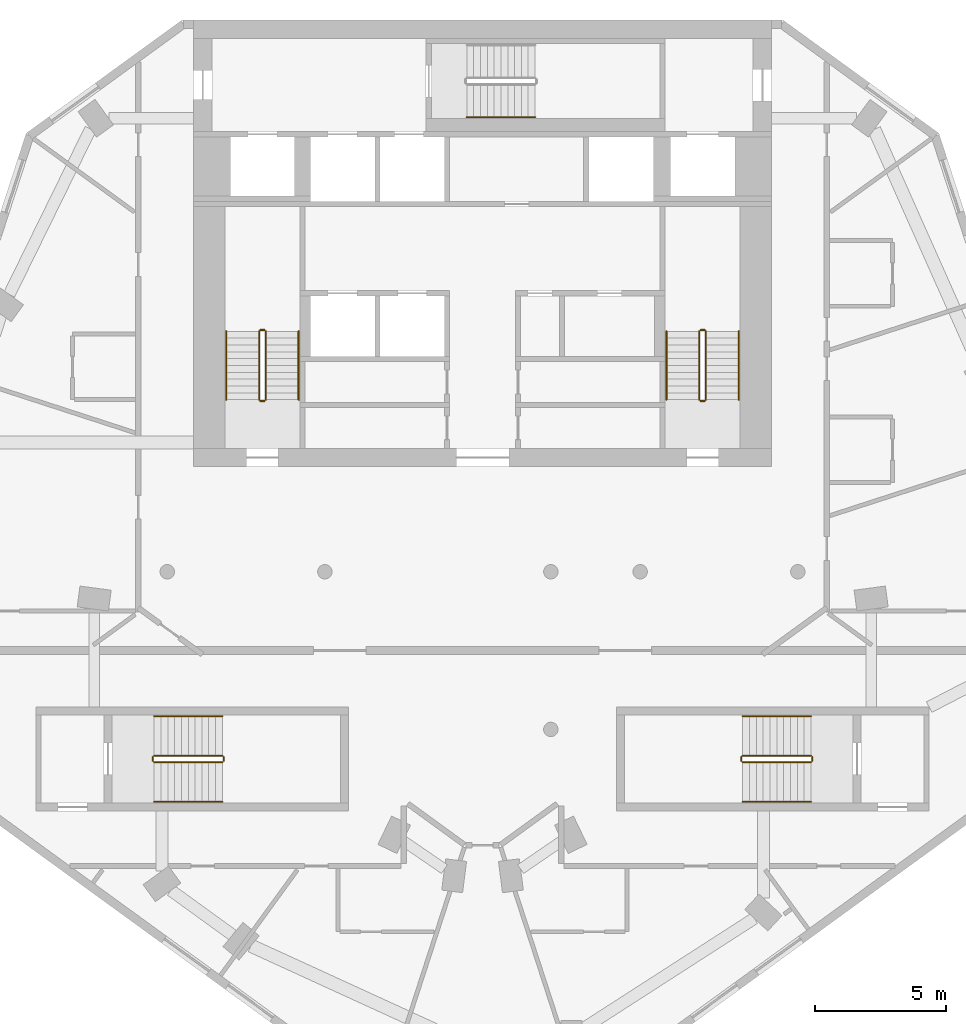
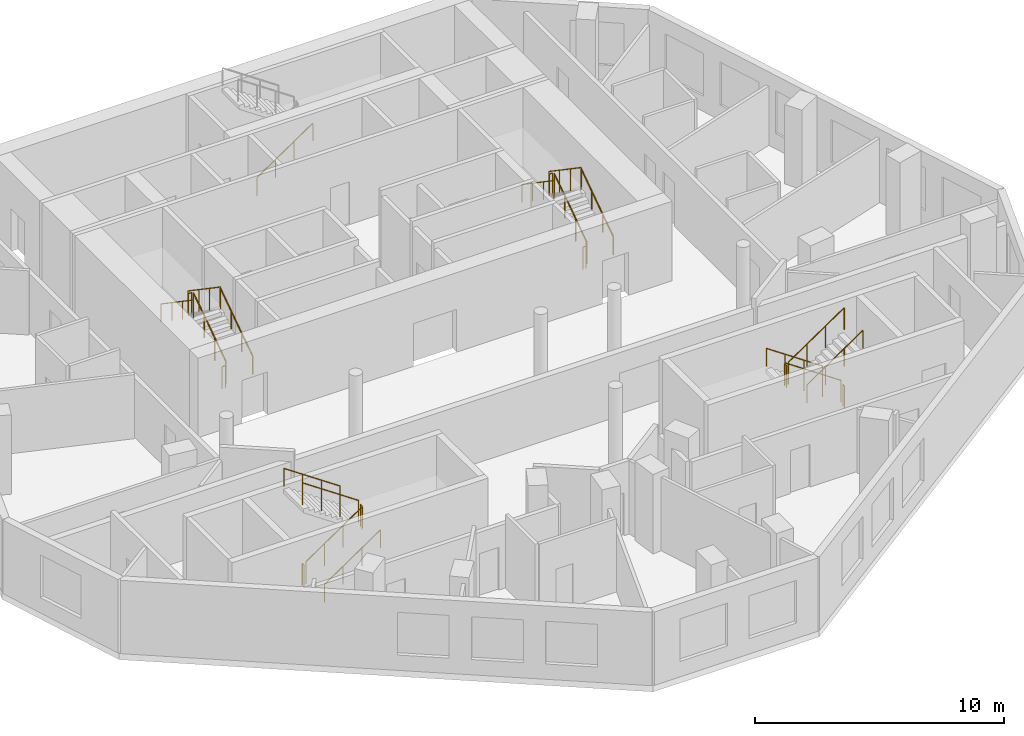
# One storey, part 7 of 8: 25 railings.
"""IFC4 building model written with IfcOpenShell, lengths in metres."""

from ifc_helpers import new_model, si_unit, direction, frame, origin, origin_2d, place, context, subcontext, project, spatial, circle, extrude, material, type_object, element, save


model = new_model("IFC4")

# Units and contexts
model_context = context("Model", 3, precision=1e-05, world=origin(), true_north=direction((0.0, 1.0)))
body_context = subcontext(model_context, "Body", "Model", "MODEL_VIEW")
ifc_project = project(units=[si_unit("LENGTHUNIT", "METRE"), si_unit("AREAUNIT", "SQUARE_METRE"), si_unit("VOLUMEUNIT", "CUBIC_METRE"), si_unit("PLANEANGLEUNIT", "RADIAN"), si_unit("MASSUNIT", "GRAM", prefix="KILO")], contexts=[model_context])

# Site, building, storey
site_placement = place(None, origin())
site = spatial("IfcSite", under=ifc_project, at=site_placement, CompositionType="ELEMENT")
building_placement = place(site_placement, origin())
building = spatial("IfcBuilding", under=site, at=building_placement, Name="White Candle Pilgrim Tower", CompositionType="ELEMENT")
storey_placement = place(building_placement, frame((0.0, 0.0, 279.5)))
storey = spatial("IfcBuildingStorey", under=building, at=storey_placement, Name="L66", CompositionType="ELEMENT", Elevation=279.5)

# Railings
ifc_material = material(Name="Stainless steel", Category="steel")
railing_type_1 = type_object("IfcRailingType", Name="Stair guard stainless steel 1100 mm", PredefinedType="GUARDRAIL", material=ifc_material)
railing_1_placement = place(storey_placement, frame((61.75, 73.550048828125, 0.17724609375)))
element("IfcRailing", 1, at=railing_1_placement, inside=storey, type_object=railing_type_1, Name="L66 ST1 stair guard 1", PredefinedType="GUARDRAIL", context=body_context, shape_type="SweptSolid", body=[
    extrude(circle(Radius=0.02392578125, at=origin_2d()), frame((0.0, 0.0, 1.076171875), z_axis=(0.0, 0.826215852431, 0.563353676824), x_axis=(-1.0, 0.0, 0.0)), (0.0, 0.0, 1.0), 3.146728515625),
    extrude(circle(Radius=0.02099609375, at=origin_2d()), origin(), (0.0, 0.0, 1.0), 1.052001953125),
    extrude(circle(Radius=0.02099609375, at=origin_2d()), frame((0.0, 0.86669921875, 0.5908203125)), (0.0, 0.0, 1.0), 1.052001953125),
    extrude(circle(Radius=0.02099609375, at=origin_2d()), frame((0.0, 1.733154296875, 1.181884765625)), (0.0, 0.0, 1.0), 1.052001953125),
    extrude(circle(Radius=0.02099609375, at=origin_2d()), frame((0.0, 2.599853515625, 1.772705078125)), (0.0, 0.0, 1.0), 1.052001953125),
])
railing_2_placement = place(storey_placement, frame((61.699951171875, 76.199951171875, 1.949951171875)))
element("IfcRailing", 2, at=railing_2_placement, inside=storey, type_object=railing_type_1, Name="L66 ST1 stair guard 2", PredefinedType="GUARDRAIL", context=body_context, shape_type="SweptSolid", body=[
    extrude(circle(Radius=0.02392578125, at=origin_2d()), frame((0.0, 0.0, 1.076171875), z_axis=(-1.0, 0.0, 0.0), x_axis=(0.0, -1.0, 0.0)), (0.0, 0.0, 1.0), 0.14990234375),
    extrude(circle(Radius=0.02099609375, at=origin_2d()), origin(), (0.0, 0.0, 1.0), 1.052001953125),
    extrude(circle(Radius=0.02099609375, at=origin_2d()), frame((-0.14990234375, 0.0, 0.0)), (0.0, 0.0, 1.0), 1.052001953125),
])
railing_3_placement = place(storey_placement, frame((61.5, 76.14990234375, 2.127197265625)))
element("IfcRailing", 3, at=railing_3_placement, inside=storey, type_object=railing_type_1, Name="L66 ST1 stair guard 3", PredefinedType="GUARDRAIL", context=body_context, shape_type="SweptSolid", body=[
    extrude(circle(Radius=0.02392578125, at=origin_2d()), frame((0.0, 0.0, 1.076171875), z_axis=(0.0, -0.826215852431, 0.563353676824), x_axis=(1.0, 0.0, 0.0)), (0.0, 0.0, 1.0), 3.146728515625),
    extrude(circle(Radius=0.02099609375, at=origin_2d()), origin(), (0.0, 0.0, 1.0), 1.052001953125),
    extrude(circle(Radius=0.02099609375, at=origin_2d()), frame((0.0, -0.86669921875, 0.5908203125)), (0.0, 0.0, 1.0), 1.052001953125),
    extrude(circle(Radius=0.02099609375, at=origin_2d()), frame((0.0, -1.733154296875, 1.181884765625)), (0.0, 0.0, 1.0), 1.052001953125),
    extrude(circle(Radius=0.02099609375, at=origin_2d()), frame((0.0, -2.599853515625, 1.772705078125)), (0.0, 0.0, 1.0), 1.052001953125),
])
railing_4_placement = place(storey_placement, frame((61.699951171875, 73.5, 0.0)))
element("IfcRailing", 4, at=railing_4_placement, inside=storey, type_object=railing_type_1, Name="L66 ST1 stair guard 4", PredefinedType="GUARDRAIL", context=body_context, shape_type="SweptSolid", body=[
    extrude(circle(Radius=0.02392578125, at=origin_2d()), frame((0.0, 0.0, 1.076171875), z_axis=(-1.0, 0.0, 0.0), x_axis=(0.0, -1.0, 0.0)), (0.0, 0.0, 1.0), 0.14990234375),
    extrude(circle(Radius=0.02099609375, at=origin_2d()), origin(), (0.0, 0.0, 1.0), 1.052001953125),
    extrude(circle(Radius=0.02099609375, at=origin_2d()), frame((-0.14990234375, 0.0, 0.0)), (0.0, 0.0, 1.0), 1.052001953125),
])
railing_5_placement = place(storey_placement, frame((78.5, 73.550048828125, 0.17724609375)))
element("IfcRailing", 5, at=railing_5_placement, inside=storey, type_object=railing_type_1, Name="L66 ST2 stair guard 1", PredefinedType="GUARDRAIL", context=body_context, shape_type="SweptSolid", body=[
    extrude(circle(Radius=0.02392578125, at=origin_2d()), frame((0.0, 0.0, 1.076171875), z_axis=(0.0, 0.826215852431, 0.563353676824), x_axis=(-1.0, 0.0, 0.0)), (0.0, 0.0, 1.0), 3.146728515625),
    extrude(circle(Radius=0.02099609375, at=origin_2d()), origin(), (0.0, 0.0, 1.0), 1.052001953125),
    extrude(circle(Radius=0.02099609375, at=origin_2d()), frame((0.0, 0.86669921875, 0.5908203125)), (0.0, 0.0, 1.0), 1.052001953125),
    extrude(circle(Radius=0.02099609375, at=origin_2d()), frame((0.0, 1.733154296875, 1.181884765625)), (0.0, 0.0, 1.0), 1.052001953125),
    extrude(circle(Radius=0.02099609375, at=origin_2d()), frame((0.0, 2.599853515625, 1.772705078125)), (0.0, 0.0, 1.0), 1.052001953125),
])
railing_6_placement = place(storey_placement, frame((78.449951171875, 76.199951171875, 1.949951171875)))
element("IfcRailing", 6, at=railing_6_placement, inside=storey, type_object=railing_type_1, Name="L66 ST2 stair guard 2", PredefinedType="GUARDRAIL", context=body_context, shape_type="SweptSolid", body=[
    extrude(circle(Radius=0.02392578125, at=origin_2d()), frame((0.0, 0.0, 1.076171875), z_axis=(-1.0, 0.0, 0.0), x_axis=(0.0, -1.0, 0.0)), (0.0, 0.0, 1.0), 0.14990234375),
    extrude(circle(Radius=0.02099609375, at=origin_2d()), origin(), (0.0, 0.0, 1.0), 1.052001953125),
    extrude(circle(Radius=0.02099609375, at=origin_2d()), frame((-0.14990234375, 0.0, 0.0)), (0.0, 0.0, 1.0), 1.052001953125),
])
railing_7_placement = place(storey_placement, frame((78.25, 76.14990234375, 2.127197265625)))
element("IfcRailing", 7, at=railing_7_placement, inside=storey, type_object=railing_type_1, Name="L66 ST2 stair guard 3", PredefinedType="GUARDRAIL", context=body_context, shape_type="SweptSolid", body=[
    extrude(circle(Radius=0.02392578125, at=origin_2d()), frame((0.0, 0.0, 1.076171875), z_axis=(0.0, -0.826215852431, 0.563353676824), x_axis=(1.0, 0.0, 0.0)), (0.0, 0.0, 1.0), 3.146728515625),
    extrude(circle(Radius=0.02099609375, at=origin_2d()), origin(), (0.0, 0.0, 1.0), 1.052001953125),
    extrude(circle(Radius=0.02099609375, at=origin_2d()), frame((0.0, -0.86669921875, 0.5908203125)), (0.0, 0.0, 1.0), 1.052001953125),
    extrude(circle(Radius=0.02099609375, at=origin_2d()), frame((0.0, -1.733154296875, 1.181884765625)), (0.0, 0.0, 1.0), 1.052001953125),
    extrude(circle(Radius=0.02099609375, at=origin_2d()), frame((0.0, -2.599853515625, 1.772705078125)), (0.0, 0.0, 1.0), 1.052001953125),
])
railing_8_placement = place(storey_placement, frame((78.449951171875, 73.5, 0.0)))
element("IfcRailing", 8, at=railing_8_placement, inside=storey, type_object=railing_type_1, Name="L66 ST2 stair guard 4", PredefinedType="GUARDRAIL", context=body_context, shape_type="SweptSolid", body=[
    extrude(circle(Radius=0.02392578125, at=origin_2d()), frame((0.0, 0.0, 1.076171875), z_axis=(-1.0, 0.0, 0.0), x_axis=(0.0, -1.0, 0.0)), (0.0, 0.0, 1.0), 0.14990234375),
    extrude(circle(Radius=0.02099609375, at=origin_2d()), origin(), (0.0, 0.0, 1.0), 1.052001953125),
    extrude(circle(Radius=0.02099609375, at=origin_2d()), frame((-0.14990234375, 0.0, 0.0)), (0.0, 0.0, 1.0), 1.052001953125),
])
railing_9_placement = place(storey_placement, frame((82.5, 60.0, 0.17724609375)))
element("IfcRailing", 9, at=railing_9_placement, inside=storey, type_object=railing_type_1, Name="L66 ST4 stair guard 1", PredefinedType="GUARDRAIL", context=body_context, shape_type="SweptSolid", body=[
    extrude(circle(Radius=0.02392578125, at=origin_2d()), frame((0.0, 0.0, 1.076171875), z_axis=(-0.826240473404, 0.0, 0.563317565952), x_axis=(0.0, -1.0, 0.0)), (0.0, 0.0, 1.0), 3.14697265625),
    extrude(circle(Radius=0.02099609375, at=origin_2d()), origin(), (0.0, 0.0, 1.0), 1.052001953125),
    extrude(circle(Radius=0.02099609375, at=origin_2d()), frame((-0.86669921875, 0.0, 0.5908203125)), (0.0, 0.0, 1.0), 1.052001953125),
    extrude(circle(Radius=0.02099609375, at=origin_2d()), frame((-1.7333984375, 0.0, 1.181884765625)), (0.0, 0.0, 1.0), 1.052001953125),
    extrude(circle(Radius=0.02099609375, at=origin_2d()), frame((-2.60009765625, 0.0, 1.772705078125)), (0.0, 0.0, 1.0), 1.052001953125),
])
railing_10_placement = place(storey_placement, frame((79.85009765625, 59.949951171875, 1.949951171875)))
element("IfcRailing", 10, at=railing_10_placement, inside=storey, type_object=railing_type_1, Name="L66 ST4 stair guard 2", PredefinedType="GUARDRAIL", context=body_context, shape_type="SweptSolid", body=[
    extrude(circle(Radius=0.02392578125, at=origin_2d()), frame((0.0, 0.0, 1.076171875), z_axis=(0.0, -1.0, 0.0), x_axis=(1.0, 0.0, 0.0)), (0.0, 0.0, 1.0), 0.14990234375),
    extrude(circle(Radius=0.02099609375, at=origin_2d()), origin(), (0.0, 0.0, 1.0), 1.052001953125),
    extrude(circle(Radius=0.02099609375, at=origin_2d()), frame((0.0, -0.14990234375, 0.0)), (0.0, 0.0, 1.0), 1.052001953125),
])
railing_11_placement = place(storey_placement, frame((79.89990234375, 59.75, 2.127197265625)))
element("IfcRailing", 11, at=railing_11_placement, inside=storey, type_object=railing_type_1, Name="L66 ST4 stair guard 3", PredefinedType="GUARDRAIL", context=body_context, shape_type="SweptSolid", body=[
    extrude(circle(Radius=0.02392578125, at=origin_2d()), frame((0.0, 0.0, 1.076171875), z_axis=(0.826240473404, 0.0, 0.563317565952), x_axis=(0.0, 1.0, 0.0)), (0.0, 0.0, 1.0), 3.14697265625),
    extrude(circle(Radius=0.02099609375, at=origin_2d()), origin(), (0.0, 0.0, 1.0), 1.052001953125),
    extrude(circle(Radius=0.02099609375, at=origin_2d()), frame((0.86669921875, 0.0, 0.5908203125)), (0.0, 0.0, 1.0), 1.052001953125),
    extrude(circle(Radius=0.02099609375, at=origin_2d()), frame((1.7333984375, 0.0, 1.181884765625)), (0.0, 0.0, 1.0), 1.052001953125),
    extrude(circle(Radius=0.02099609375, at=origin_2d()), frame((2.60009765625, 0.0, 1.772705078125)), (0.0, 0.0, 1.0), 1.052001953125),
])
railing_12_placement = place(storey_placement, frame((82.550048828125, 59.949951171875, 0.0)))
element("IfcRailing", 12, at=railing_12_placement, inside=storey, type_object=railing_type_1, Name="L66 ST4 stair guard 4", PredefinedType="GUARDRAIL", context=body_context, shape_type="SweptSolid", body=[
    extrude(circle(Radius=0.02392578125, at=origin_2d()), frame((0.0, 0.0, 1.076171875), z_axis=(0.0, -1.0, 0.0), x_axis=(1.0, 0.0, 0.0)), (0.0, 0.0, 1.0), 0.14990234375),
    extrude(circle(Radius=0.02099609375, at=origin_2d()), origin(), (0.0, 0.0, 1.0), 1.052001953125),
    extrude(circle(Radius=0.02099609375, at=origin_2d()), frame((0.0, -0.14990234375, 0.0)), (0.0, 0.0, 1.0), 1.052001953125),
])
railing_13_placement = place(storey_placement, frame((57.5, 59.75, 0.17724609375)))
element("IfcRailing", 13, at=railing_13_placement, inside=storey, type_object=railing_type_1, Name="L66 ST5 stair guard 1", PredefinedType="GUARDRAIL", context=body_context, shape_type="SweptSolid", body=[
    extrude(circle(Radius=0.02392578125, at=origin_2d()), frame((0.0, 0.0, 1.076171875), z_axis=(0.826240473404, 0.0, 0.563317565952), x_axis=(0.0, 1.0, 0.0)), (0.0, 0.0, 1.0), 3.14697265625),
    extrude(circle(Radius=0.02099609375, at=origin_2d()), origin(), (0.0, 0.0, 1.0), 1.052001953125),
    extrude(circle(Radius=0.02099609375, at=origin_2d()), frame((0.86669921875, 0.0, 0.5908203125)), (0.0, 0.0, 1.0), 1.052001953125),
    extrude(circle(Radius=0.02099609375, at=origin_2d()), frame((1.7333984375, 0.0, 1.181884765625)), (0.0, 0.0, 1.0), 1.052001953125),
    extrude(circle(Radius=0.02099609375, at=origin_2d()), frame((2.60009765625, 0.0, 1.772705078125)), (0.0, 0.0, 1.0), 1.052001953125),
])
railing_14_placement = place(storey_placement, frame((60.14990234375, 59.800048828125, 1.949951171875)))
element("IfcRailing", 14, at=railing_14_placement, inside=storey, type_object=railing_type_1, Name="L66 ST5 stair guard 2", PredefinedType="GUARDRAIL", context=body_context, shape_type="SweptSolid", body=[
    extrude(circle(Radius=0.02392578125, at=origin_2d()), frame((0.0, 0.0, 1.076171875), z_axis=(0.0, 1.0, 0.0), x_axis=(-1.0, 0.0, 0.0)), (0.0, 0.0, 1.0), 0.14990234375),
    extrude(circle(Radius=0.02099609375, at=origin_2d()), origin(), (0.0, 0.0, 1.0), 1.052001953125),
    extrude(circle(Radius=0.02099609375, at=origin_2d()), frame((0.0, 0.14990234375, 0.0)), (0.0, 0.0, 1.0), 1.052001953125),
])
railing_15_placement = place(storey_placement, frame((60.10009765625, 60.0, 2.127197265625)))
element("IfcRailing", 15, at=railing_15_placement, inside=storey, type_object=railing_type_1, Name="L66 ST5 stair guard 3", PredefinedType="GUARDRAIL", context=body_context, shape_type="SweptSolid", body=[
    extrude(circle(Radius=0.02392578125, at=origin_2d()), frame((0.0, 0.0, 1.076171875), z_axis=(-0.826240473404, 0.0, 0.563317565952), x_axis=(0.0, -1.0, 0.0)), (0.0, 0.0, 1.0), 3.14697265625),
    extrude(circle(Radius=0.02099609375, at=origin_2d()), origin(), (0.0, 0.0, 1.0), 1.052001953125),
    extrude(circle(Radius=0.02099609375, at=origin_2d()), frame((-0.86669921875, 0.0, 0.5908203125)), (0.0, 0.0, 1.0), 1.052001953125),
    extrude(circle(Radius=0.02099609375, at=origin_2d()), frame((-1.7333984375, 0.0, 1.181884765625)), (0.0, 0.0, 1.0), 1.052001953125),
    extrude(circle(Radius=0.02099609375, at=origin_2d()), frame((-2.60009765625, 0.0, 1.772705078125)), (0.0, 0.0, 1.0), 1.052001953125),
])
railing_16_placement = place(storey_placement, frame((57.449951171875, 59.800048828125, 0.0)))
element("IfcRailing", 16, at=railing_16_placement, inside=storey, type_object=railing_type_1, Name="L66 ST5 stair guard 4", PredefinedType="GUARDRAIL", context=body_context, shape_type="SweptSolid", body=[
    extrude(circle(Radius=0.02392578125, at=origin_2d()), frame((0.0, 0.0, 1.076171875), z_axis=(0.0, 1.0, 0.0), x_axis=(-1.0, 0.0, 0.0)), (0.0, 0.0, 1.0), 0.14990234375),
    extrude(circle(Radius=0.02099609375, at=origin_2d()), origin(), (0.0, 0.0, 1.0), 1.052001953125),
    extrude(circle(Radius=0.02099609375, at=origin_2d()), frame((0.0, 0.14990234375, 0.0)), (0.0, 0.0, 1.0), 1.052001953125),
])
railing_type_2 = type_object("IfcRailingType", Name="Stair handrail stainless steel", PredefinedType="HANDRAIL", material=ifc_material)
railing_17_placement = place(storey_placement, frame((63.0, 73.550048828125, 0.17724609375)))
element("IfcRailing", 17, at=railing_17_placement, inside=storey, type_object=railing_type_2, Name="L66 ST1 stair handrail 1", PredefinedType="HANDRAIL", context=body_context, shape_type="SweptSolid", body=[
    extrude(circle(Radius=0.02392578125, at=origin_2d()), frame((0.0, 0.0, 0.8759765625), z_axis=(0.0, 0.826215852431, 0.563353676824), x_axis=(-1.0, 0.0, 0.0)), (0.0, 0.0, 1.0), 3.146728515625),
    extrude(circle(Radius=0.02099609375, at=origin_2d()), origin(), (0.0, 0.0, 1.0), 0.851806640625),
    extrude(circle(Radius=0.02099609375, at=origin_2d()), frame((0.0, 0.86669921875, 0.5908203125)), (0.0, 0.0, 1.0), 0.851806640625),
    extrude(circle(Radius=0.02099609375, at=origin_2d()), frame((0.0, 1.733154296875, 1.181884765625)), (0.0, 0.0, 1.0), 0.851806640625),
    extrude(circle(Radius=0.02099609375, at=origin_2d()), frame((0.0, 2.599853515625, 1.772705078125)), (0.0, 0.0, 1.0), 0.851806640625),
])
railing_18_placement = place(storey_placement, frame((60.25, 76.14990234375, 2.127197265625)))
element("IfcRailing", 18, at=railing_18_placement, inside=storey, type_object=railing_type_2, Name="L66 ST1 stair handrail 2", PredefinedType="HANDRAIL", context=body_context, shape_type="SweptSolid", body=[
    extrude(circle(Radius=0.02392578125, at=origin_2d()), frame((0.0, 0.0, 0.8759765625), z_axis=(0.0, -0.826215852431, 0.563353676824), x_axis=(1.0, 0.0, 0.0)), (0.0, 0.0, 1.0), 3.146728515625),
    extrude(circle(Radius=0.02099609375, at=origin_2d()), origin(), (0.0, 0.0, 1.0), 0.851806640625),
    extrude(circle(Radius=0.02099609375, at=origin_2d()), frame((0.0, -0.86669921875, 0.5908203125)), (0.0, 0.0, 1.0), 0.851806640625),
    extrude(circle(Radius=0.02099609375, at=origin_2d()), frame((0.0, -1.733154296875, 1.181884765625)), (0.0, 0.0, 1.0), 0.851806640625),
    extrude(circle(Radius=0.02099609375, at=origin_2d()), frame((0.0, -2.599853515625, 1.772705078125)), (0.0, 0.0, 1.0), 0.851806640625),
])
railing_19_placement = place(storey_placement, frame((79.75, 73.550048828125, 0.17724609375)))
element("IfcRailing", 19, at=railing_19_placement, inside=storey, type_object=railing_type_2, Name="L66 ST2 stair handrail 1", PredefinedType="HANDRAIL", context=body_context, shape_type="SweptSolid", body=[
    extrude(circle(Radius=0.02392578125, at=origin_2d()), frame((0.0, 0.0, 0.8759765625), z_axis=(0.0, 0.826215852431, 0.563353676824), x_axis=(-1.0, 0.0, 0.0)), (0.0, 0.0, 1.0), 3.146728515625),
    extrude(circle(Radius=0.02099609375, at=origin_2d()), origin(), (0.0, 0.0, 1.0), 0.851806640625),
    extrude(circle(Radius=0.02099609375, at=origin_2d()), frame((0.0, 0.86669921875, 0.5908203125)), (0.0, 0.0, 1.0), 0.851806640625),
    extrude(circle(Radius=0.02099609375, at=origin_2d()), frame((0.0, 1.733154296875, 1.181884765625)), (0.0, 0.0, 1.0), 0.851806640625),
    extrude(circle(Radius=0.02099609375, at=origin_2d()), frame((0.0, 2.599853515625, 1.772705078125)), (0.0, 0.0, 1.0), 0.851806640625),
])
railing_20_placement = place(storey_placement, frame((77.0, 76.14990234375, 2.127197265625)))
element("IfcRailing", 20, at=railing_20_placement, inside=storey, type_object=railing_type_2, Name="L66 ST2 stair handrail 2", PredefinedType="HANDRAIL", context=body_context, shape_type="SweptSolid", body=[
    extrude(circle(Radius=0.02392578125, at=origin_2d()), frame((0.0, 0.0, 0.8759765625), z_axis=(0.0, -0.826215852431, 0.563353676824), x_axis=(1.0, 0.0, 0.0)), (0.0, 0.0, 1.0), 3.146728515625),
    extrude(circle(Radius=0.02099609375, at=origin_2d()), origin(), (0.0, 0.0, 1.0), 0.851806640625),
    extrude(circle(Radius=0.02099609375, at=origin_2d()), frame((0.0, -0.86669921875, 0.5908203125)), (0.0, 0.0, 1.0), 0.851806640625),
    extrude(circle(Radius=0.02099609375, at=origin_2d()), frame((0.0, -1.733154296875, 1.181884765625)), (0.0, 0.0, 1.0), 0.851806640625),
    extrude(circle(Radius=0.02099609375, at=origin_2d()), frame((0.0, -2.599853515625, 1.772705078125)), (0.0, 0.0, 1.0), 0.851806640625),
])
railing_21_placement = place(storey_placement, frame((69.39990234375, 84.300048828125, 0.17724609375)))
element("IfcRailing", 21, at=railing_21_placement, inside=storey, type_object=railing_type_2, Name="L66 ST3 stair handrail 1", PredefinedType="HANDRAIL", context=body_context, shape_type="SweptSolid", body=[
    extrude(circle(Radius=0.02392578125, at=origin_2d()), frame((0.0, 0.0, 0.8759765625), z_axis=(0.826240473404, 0.0, 0.563317565952), x_axis=(0.0, 1.0, 0.0)), (0.0, 0.0, 1.0), 3.14697265625),
    extrude(circle(Radius=0.02099609375, at=origin_2d()), origin(), (0.0, 0.0, 1.0), 0.851806640625),
    extrude(circle(Radius=0.02099609375, at=origin_2d()), frame((0.86669921875, 0.0, 0.5908203125)), (0.0, 0.0, 1.0), 0.851806640625),
    extrude(circle(Radius=0.02099609375, at=origin_2d()), frame((1.7333984375, 0.0, 1.181884765625)), (0.0, 0.0, 1.0), 0.851806640625),
    extrude(circle(Radius=0.02099609375, at=origin_2d()), frame((2.60009765625, 0.0, 1.772705078125)), (0.0, 0.0, 1.0), 0.851806640625),
])
railing_22_placement = place(storey_placement, frame((82.5, 61.5, 0.17724609375)))
element("IfcRailing", 22, at=railing_22_placement, inside=storey, type_object=railing_type_2, Name="L66 ST4 stair handrail 1", PredefinedType="HANDRAIL", context=body_context, shape_type="SweptSolid", body=[
    extrude(circle(Radius=0.02392578125, at=origin_2d()), frame((0.0, 0.0, 0.8759765625), z_axis=(-0.826240473404, 0.0, 0.563317565952), x_axis=(0.0, -1.0, 0.0)), (0.0, 0.0, 1.0), 3.14697265625),
    extrude(circle(Radius=0.02099609375, at=origin_2d()), origin(), (0.0, 0.0, 1.0), 0.851806640625),
    extrude(circle(Radius=0.02099609375, at=origin_2d()), frame((-0.86669921875, 0.0, 0.5908203125)), (0.0, 0.0, 1.0), 0.851806640625),
    extrude(circle(Radius=0.02099609375, at=origin_2d()), frame((-1.7333984375, 0.0, 1.181884765625)), (0.0, 0.0, 1.0), 0.851806640625),
    extrude(circle(Radius=0.02099609375, at=origin_2d()), frame((-2.60009765625, 0.0, 1.772705078125)), (0.0, 0.0, 1.0), 0.851806640625),
])
for number, where, name in (
    (23, (79.89990234375, 58.25, 2.127197265625), "L66 ST4 stair handrail 2"),
    (24, (57.5, 58.25, 0.17724609375), "L66 ST5 stair handrail 1"),
):
    element("IfcRailing", number, at=place(storey_placement, frame(where)), inside=storey, type_object=railing_type_2, Name=name, PredefinedType="HANDRAIL", context=body_context, shape_type="SweptSolid", body=[
        extrude(circle(Radius=0.02392578125, at=origin_2d()), frame((0.0, 0.0, 0.8759765625), z_axis=(0.826240473404, 0.0, 0.563317565952), x_axis=(0.0, 1.0, 0.0)), (0.0, 0.0, 1.0), 3.14697265625),
        extrude(circle(Radius=0.02099609375, at=origin_2d()), origin(), (0.0, 0.0, 1.0), 0.851806640625),
        extrude(circle(Radius=0.02099609375, at=origin_2d()), frame((0.86669921875, 0.0, 0.5908203125)), (0.0, 0.0, 1.0), 0.851806640625),
        extrude(circle(Radius=0.02099609375, at=origin_2d()), frame((1.7333984375, 0.0, 1.181884765625)), (0.0, 0.0, 1.0), 0.851806640625),
        extrude(circle(Radius=0.02099609375, at=origin_2d()), frame((2.60009765625, 0.0, 1.772705078125)), (0.0, 0.0, 1.0), 0.851806640625),
    ])
railing_23_placement = place(storey_placement, frame((60.10009765625, 61.5, 2.127197265625)))
element("IfcRailing", 25, at=railing_23_placement, inside=storey, type_object=railing_type_2, Name="L66 ST5 stair handrail 2", PredefinedType="HANDRAIL", context=body_context, shape_type="SweptSolid", body=[
    extrude(circle(Radius=0.02392578125, at=origin_2d()), frame((0.0, 0.0, 0.8759765625), z_axis=(-0.826240473404, 0.0, 0.563317565952), x_axis=(0.0, -1.0, 0.0)), (0.0, 0.0, 1.0), 3.14697265625),
    extrude(circle(Radius=0.02099609375, at=origin_2d()), origin(), (0.0, 0.0, 1.0), 0.851806640625),
    extrude(circle(Radius=0.02099609375, at=origin_2d()), frame((-0.86669921875, 0.0, 0.5908203125)), (0.0, 0.0, 1.0), 0.851806640625),
    extrude(circle(Radius=0.02099609375, at=origin_2d()), frame((-1.7333984375, 0.0, 1.181884765625)), (0.0, 0.0, 1.0), 0.851806640625),
    extrude(circle(Radius=0.02099609375, at=origin_2d()), frame((-2.60009765625, 0.0, 1.772705078125)), (0.0, 0.0, 1.0), 0.851806640625),
])

save(model, "model.ifc")
